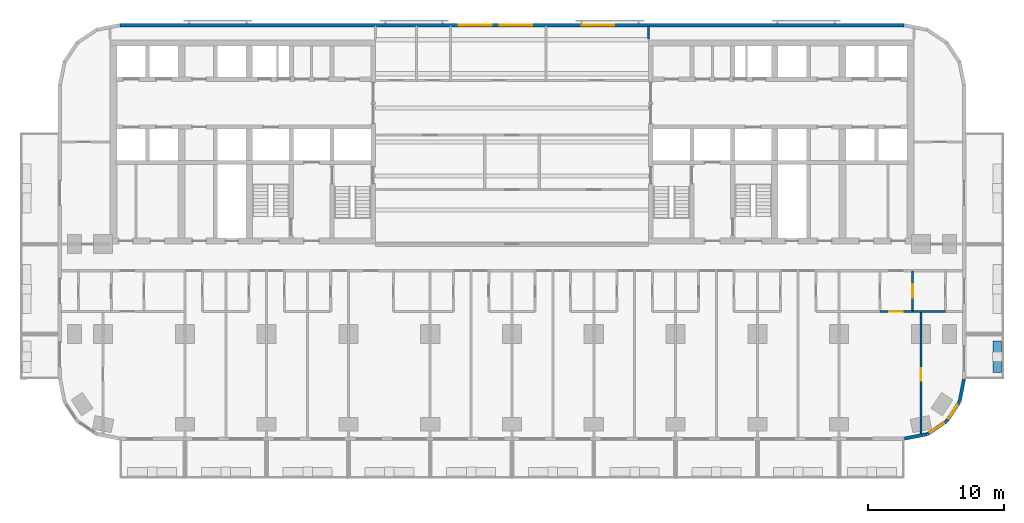
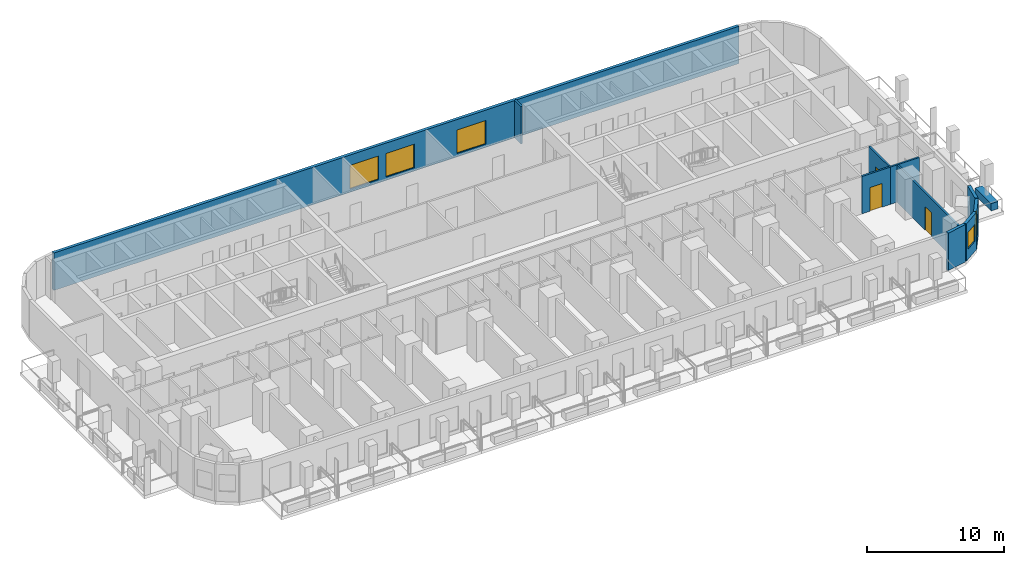
# One storey, part 9 of 15: 11 walls, 5 windows, 3 doors, 8 openings.
"""IFC4 building model written with IfcOpenShell, lengths in metres."""

from ifc_helpers import new_model, si_unit, direction, frame, frame_2d, origin, place, context, subcontext, project, spatial, rectangle, extrude, material, layer, layer_set, type_object, element, fill, save


model = new_model("IFC4")

# Units and contexts
model_context = context("Model", 3, precision=1e-05, world=origin(), true_north=direction((0.0, 1.0)))
body_context = subcontext(model_context, "Body", "Model", "MODEL_VIEW")
ifc_project = project(units=[si_unit("LENGTHUNIT", "METRE"), si_unit("AREAUNIT", "SQUARE_METRE"), si_unit("VOLUMEUNIT", "CUBIC_METRE"), si_unit("PLANEANGLEUNIT", "RADIAN"), si_unit("MASSUNIT", "GRAM", prefix="KILO")], contexts=[model_context])

# Site, building, storey
site_placement = place(None, origin())
site = spatial("IfcSite", under=ifc_project, at=site_placement, CompositionType="ELEMENT")
building_placement = place(site_placement, origin())
building = spatial("IfcBuilding", under=site, at=building_placement, Name="Torana Hotel and Residences", CompositionType="ELEMENT")
storey_placement = place(building_placement, frame((0.0, 0.0, 31.199951171875)))
storey = spatial("IfcBuildingStorey", under=building, at=storey_placement, Name="L06", CompositionType="ELEMENT", Elevation=31.199951171875)

# Wall
ifc_material_1 = material(Name="Black aluminium composite panel", Category="aluminium")
ifc_layer_1 = layer(ifc_material_1, 0.00390625, Name="Cladding", Category="cladding")
ifc_material_2 = material(Name="Ventilated air cavity")
ifc_layer_2 = layer(ifc_material_2, 0.0400390625, Name="Ventilated cavity", Category="cavity")
ifc_material_3 = material(Name="Mineral wool insulation")
ifc_layer_3 = layer(ifc_material_3, 0.090087890625, Name="Insulation", Category="insulation")
ifc_material_4 = material(Name="Steel S280GD", Category="steel")
ifc_layer_4 = layer(ifc_material_4, 0.092041015625, Name="Steel stud frame", Category="structure")
ifc_material_5 = material(Name="Fire rated plasterboard")
ifc_layer_5 = layer(ifc_material_5, 0.011962890625, Name="Inner board", Category="finish")
ifc_layer_6 = layer(ifc_material_5, 0.011962890625, Name="Second board", Category="finish")
ifc_layer_set_1 = layer_set([ifc_layer_1, ifc_layer_2, ifc_layer_3, ifc_layer_4, ifc_layer_5, ifc_layer_6], Name="EW1 EXTERNAL WALL BLACK METAL CLAD 250")
wall_type_1 = type_object("IfcWallType", Name="EW1 EXTERNAL WALL BLACK METAL CLAD 250", PredefinedType="SOLIDWALL", material=ifc_layer_set_1)
wall_1_placement = place(storey_placement, frame((28.7998046875, -29.272705078125, 0.0), z_axis=(0.0, 0.0, 1.0), x_axis=(0.980775640221, 0.19513878023, 0.0)))
element("IfcWall", 1, at=wall_1_placement, inside=storey, type_object=wall_type_1, Name="External wall L06 e0.15", PredefinedType="SOLIDWALL", context=body_context, shape_type="SweptSolid", body=[
    extrude(rectangle(XDim=1.681396484375, YDim=0.25, at=frame_2d((0.8408203125, 0.0))), origin(), (0.0, 0.0, 1.0), 3.320068359375),
])

# Wall, opening, window
wall_2_placement = place(storey_placement, frame((30.493896484375, -28.92578125, 0.0), z_axis=(0.0, 0.0, 1.0), x_axis=(0.831482937015, 0.55555029066, 0.0)))
wall_2 = element("IfcWall", 2, at=wall_2_placement, inside=storey, type_object=wall_type_1, Name="External wall L06 e0.16", PredefinedType="SOLIDWALL", context=body_context, shape_type="SweptSolid", body=[
    extrude(rectangle(XDim=1.65625, YDim=0.25, at=frame_2d((0.828125, 0.0))), origin(), (0.0, 0.0, 1.0), 3.320068359375),
])
opening_1_placement = place(wall_2_placement, frame((0.228271484375, 0.0, 0.89990234375)))
opening_1 = element("IfcOpeningElement", 3, at=opening_1_placement, cuts=wall_2, Name="Opening W5", PredefinedType="OPENING", context=body_context, shape_type="SweptSolid", body=[
    extrude(rectangle(XDim=1.199951171875, YDim=1.5, at=frame_2d((0.60009765625, 0.75))), frame((0.0, 0.135009765625, 0.0), z_axis=(0.0, -1.0, 0.0), x_axis=(1.0, 0.0, 0.0)), (0.0, 0.0, 1.0), 0.27001953125),
])
ifc_material_6 = material(Name="Dark glass in black aluminium frame", Category="aluminium")
window_type_1 = type_object("IfcWindowType", Name="W5 CORNER FACET WINDOW 1200x1500", PartitioningType="SINGLE_PANEL", PredefinedType="WINDOW", material=ifc_material_6)
window_1_placement = place(opening_1_placement, origin())
window_1 = element("IfcWindow", 4, at=window_1_placement, inside=storey, type_object=window_type_1, Name="Window L06 e0.16", OverallHeight=1.5, OverallWidth=1.199951171875, PartitioningType="SINGLE_PANEL", PredefinedType="WINDOW", context=body_context, shape_type="SweptSolid", body=[
    extrude(rectangle(XDim=1.199951171875, YDim=1.5, at=frame_2d((0.60009765625, 0.75))), frame((0.0, 0.030029296875, 0.0), z_axis=(0.0, -1.0, 0.0), x_axis=(1.0, 0.0, 0.0)), (0.0, 0.0, 1.0), 0.06005859375),
])
fill(opening_1, window_1)

wall_3_placement = place(storey_placement, frame((31.90576171875, -27.97119140625, 0.0), z_axis=(0.0, 0.0, 1.0), x_axis=(0.55555029066, 0.831482937015, 0.0)))
wall_3 = element("IfcWall", 5, at=wall_3_placement, inside=storey, type_object=wall_type_1, Name="External wall L06 e0.17", PredefinedType="SOLIDWALL", context=body_context, shape_type="SweptSolid", body=[
    extrude(rectangle(XDim=1.65625, YDim=0.25, at=frame_2d((0.828125, 0.0))), origin(), (0.0, 0.0, 1.0), 3.320068359375),
])
opening_2_placement = place(wall_3_placement, frame((0.228271484375, 0.0, 0.89990234375)))
opening_2 = element("IfcOpeningElement", 6, at=opening_2_placement, cuts=wall_3, Name="Opening W5", PredefinedType="OPENING", context=body_context, shape_type="SweptSolid", body=[
    extrude(rectangle(XDim=1.199951171875, YDim=1.5, at=frame_2d((0.60009765625, 0.75))), frame((0.0, 0.135009765625, 0.0), z_axis=(0.0, -1.0, 0.0), x_axis=(1.0, 0.0, 0.0)), (0.0, 0.0, 1.0), 0.27001953125),
])
window_2_placement = place(opening_2_placement, origin())
window_2 = element("IfcWindow", 7, at=window_2_placement, inside=storey, type_object=window_type_1, Name="Window L06 e0.17", OverallHeight=1.5, OverallWidth=1.199951171875, PartitioningType="SINGLE_PANEL", PredefinedType="WINDOW", context=body_context, shape_type="SweptSolid", body=[
    extrude(rectangle(XDim=1.199951171875, YDim=1.5, at=frame_2d((0.60009765625, 0.75))), frame((0.0, 0.030029296875, 0.0), z_axis=(0.0, -1.0, 0.0), x_axis=(1.0, 0.0, 0.0)), (0.0, 0.0, 1.0), 0.06005859375),
])
fill(opening_2, window_2)

# Wall
wall_4_placement = place(storey_placement, frame((32.844482421875, -26.548828125, 0.0), z_axis=(0.0, 0.0, 1.0), x_axis=(0.195166572128, 0.980770110232, 0.0)))
element("IfcWall", 8, at=wall_4_placement, inside=storey, type_object=wall_type_1, Name="External wall L06 e0.18", PredefinedType="SOLIDWALL", context=body_context, shape_type="SweptSolid", body=[
    extrude(rectangle(XDim=1.68115234375, YDim=0.25, at=frame_2d((0.840576171875, 0.0))), origin(), (0.0, 0.0, 1.0), 3.320068359375),
])

# Wall, openings, windows
ifc_material_7 = material(Name="Concrete C40/50 precast", Category="concrete")
ifc_layer_7 = layer(ifc_material_7, 0.10009765625, Name="Perforated block", Category="cladding")
ifc_material_8 = material(Name="Air cavity")
ifc_layer_8 = layer(ifc_material_8, 0.030029296875, Name="Cavity", Category="cavity")
ifc_material_9 = material(Name="Concrete C40/50", Category="concrete")
ifc_layer_9 = layer(ifc_material_9, 0.10009765625, Name="Wall", Category="structure")
ifc_material_10 = material(Name="Plaster and paint")
ifc_layer_10 = layer(ifc_material_10, 0.02001953125, Name="Inner finish", Category="finish")
ifc_layer_set_2 = layer_set([ifc_layer_7, ifc_layer_8, ifc_layer_9, ifc_layer_10], Name="EW2 PERFORATED BLOCK SCREEN WALL 250")
wall_type_2 = type_object("IfcWallType", Name="EW2 PERFORATED BLOCK SCREEN WALL 250", PredefinedType="SOLIDWALL", material=ifc_layer_set_2)
wall_5_placement = place(storey_placement, frame((28.775390625, 1.074951171875, 0.0), z_axis=(0.0, 0.0, 1.0), x_axis=(-1.0, 0.0, 0.0)))
wall_5 = element("IfcWall", 9, at=wall_5_placement, inside=storey, type_object=wall_type_2, Name="External wall L06 e0.4", PredefinedType="SOLIDWALL", context=body_context, shape_type="SweptSolid", body=[
    extrude(rectangle(XDim=57.55078125, YDim=0.25, at=frame_2d((28.775390625, 0.0))), origin(), (0.0, 0.0, 1.0), 3.320068359375),
])
opening_3_placement = place(wall_5_placement, frame((21.275390625, 0.0, 0.300048828125)))
opening_3 = element("IfcOpeningElement", 10, at=opening_3_placement, cuts=wall_5, Name="Opening W1", PredefinedType="OPENING", context=body_context, shape_type="SweptSolid", body=[
    extrude(rectangle(XDim=2.39990234375, YDim=2.10009765625, at=frame_2d((1.199951171875, 1.050048828125))), frame((0.0, 0.135009765625, 0.0), z_axis=(0.0, -1.0, 0.0), x_axis=(1.0, 0.0, 0.0)), (0.0, 0.0, 1.0), 0.27001953125),
])
opening_4_placement = place(wall_5_placement, frame((27.275390625, 0.0, 0.300048828125)))
opening_4 = element("IfcOpeningElement", 11, at=opening_4_placement, cuts=wall_5, Name="Opening W1", PredefinedType="OPENING", context=body_context, shape_type="SweptSolid", body=[
    extrude(rectangle(XDim=2.39990234375, YDim=2.10009765625, at=frame_2d((1.199951171875, 1.050048828125))), frame((0.0, 0.135009765625, 0.0), z_axis=(0.0, -1.0, 0.0), x_axis=(1.0, 0.0, 0.0)), (0.0, 0.0, 1.0), 0.27001953125),
])
opening_5_placement = place(wall_5_placement, frame((30.275390625, 0.0, 0.300048828125)))
opening_5 = element("IfcOpeningElement", 12, at=opening_5_placement, cuts=wall_5, Name="Opening W1", PredefinedType="OPENING", context=body_context, shape_type="SweptSolid", body=[
    extrude(rectangle(XDim=2.39990234375, YDim=2.10009765625, at=frame_2d((1.199951171875, 1.050048828125))), frame((0.0, 0.135009765625, 0.0), z_axis=(0.0, -1.0, 0.0), x_axis=(1.0, 0.0, 0.0)), (0.0, 0.0, 1.0), 0.27001953125),
])
ifc_material_11 = material(Name="Dark glass in black aluminium frame", Category="aluminium")
window_type_2 = type_object("IfcWindowType", Name="W1 HOTEL ROOM WINDOW 2400x2100", PartitioningType="SINGLE_PANEL", PredefinedType="WINDOW", material=ifc_material_11)
window_3_placement = place(opening_3_placement, origin())
window_3 = element("IfcWindow", 13, at=window_3_placement, inside=storey, type_object=window_type_2, Name="Window L06", OverallHeight=2.10009765625, OverallWidth=2.39990234375, PartitioningType="SINGLE_PANEL", PredefinedType="WINDOW", context=body_context, shape_type="SweptSolid", body=[
    extrude(rectangle(XDim=2.39990234375, YDim=2.10009765625, at=frame_2d((1.199951171875, 1.050048828125))), frame((0.0, 0.030029296875, 0.0), z_axis=(0.0, -1.0, 0.0), x_axis=(1.0, 0.0, 0.0)), (0.0, 0.0, 1.0), 0.06005859375),
])
fill(opening_3, window_3)
window_4_placement = place(opening_4_placement, origin())
window_4 = element("IfcWindow", 14, at=window_4_placement, inside=storey, type_object=window_type_2, Name="Window L06", OverallHeight=2.10009765625, OverallWidth=2.39990234375, PartitioningType="SINGLE_PANEL", PredefinedType="WINDOW", context=body_context, shape_type="SweptSolid", body=[
    extrude(rectangle(XDim=2.39990234375, YDim=2.10009765625, at=frame_2d((1.199951171875, 1.050048828125))), frame((0.0, 0.030029296875, 0.0), z_axis=(0.0, -1.0, 0.0), x_axis=(1.0, 0.0, 0.0)), (0.0, 0.0, 1.0), 0.06005859375),
])
fill(opening_4, window_4)
window_5_placement = place(opening_5_placement, origin())
window_5 = element("IfcWindow", 15, at=window_5_placement, inside=storey, type_object=window_type_2, Name="Window L06", OverallHeight=2.10009765625, OverallWidth=2.39990234375, PartitioningType="SINGLE_PANEL", PredefinedType="WINDOW", context=body_context, shape_type="SweptSolid", body=[
    extrude(rectangle(XDim=2.39990234375, YDim=2.10009765625, at=frame_2d((1.199951171875, 1.050048828125))), frame((0.0, 0.030029296875, 0.0), z_axis=(0.0, -1.0, 0.0), x_axis=(1.0, 0.0, 0.0)), (0.0, 0.0, 1.0), 0.06005859375),
])
fill(opening_5, window_5)

# Wall, opening, door
ifc_material_12 = material(Name="Gypsum plaster")
ifc_layer_11 = layer(ifc_material_12, 0.014892578125, Name="Plaster", Category="finish")
ifc_material_13 = material(Name="Concrete blockwork", Category="masonry")
ifc_layer_12 = layer(ifc_material_13, 0.1201171875, Name="Blockwork", Category="structure")
ifc_layer_13 = layer(ifc_material_12, 0.014892578125, Name="Plaster", Category="finish")
ifc_layer_set_3 = layer_set([ifc_layer_11, ifc_layer_12, ifc_layer_13], Name="FIRE PARTITION 150 BLOCKWORK")
wall_type_3 = type_object("IfcWallType", Name="FIRE PARTITION 150 BLOCKWORK", PredefinedType="PARTITIONING", material=ifc_layer_set_3)
wall_6_placement = place(storey_placement, frame((29.39990234375, -19.949951171875, 0.0), z_axis=(0.0, 0.0, 1.0), x_axis=(0.0, 1.0, 0.0)))
wall_6 = element("IfcWall", 16, at=wall_6_placement, inside=storey, type_object=wall_type_3, Name="Partition L06", PredefinedType="PARTITIONING", context=body_context, shape_type="SweptSolid", body=[
    extrude(rectangle(XDim=3.0, YDim=0.14990234375, at=frame_2d((1.5, 0.0))), origin(), (0.0, 0.0, 1.0), 3.320068359375),
])
opening_6_placement = place(wall_6_placement, frame((1.02001953125, 0.0, 0.0)))
opening_6 = element("IfcOpeningElement", 17, at=opening_6_placement, cuts=wall_6, Name="Opening L06-86", PredefinedType="OPENING", context=body_context, shape_type="SweptSolid", body=[
    extrude(rectangle(XDim=1.0, YDim=2.10009765625, at=frame_2d((0.5, 1.050048828125))), frame((0.0, 0.0849609375, 0.0), z_axis=(0.0, -1.0, 0.0), x_axis=(1.0, 0.0, 0.0)), (0.0, 0.0, 1.0), 0.169921875),
])
ifc_material_14 = material(Name="Steel S235", Category="steel")
door_type_1 = type_object("IfcDoorType", Name="ENTRY FIRE DOOR D6 1000x2100", OperationType="SINGLE_SWING_LEFT", PredefinedType="DOOR", material=ifc_material_14)
door_1_placement = place(opening_6_placement, frame((0.5, 0.0, 0.0), z_axis=(0.0, 0.0, 1.0), x_axis=(-1.0, 0.0, 0.0)))
door_1 = element("IfcDoor", 18, at=door_1_placement, inside=storey, type_object=door_type_1, Name="Door L06", OperationType="SINGLE_SWING_LEFT", OverallHeight=2.10009765625, OverallWidth=1.0, PredefinedType="DOOR", context=body_context, shape_type="SweptSolid", body=[
    extrude(rectangle(XDim=1.0, YDim=2.10009765625, at=frame_2d((0.0, 1.050048828125))), frame((0.0, -0.02490234375, 0.0), z_axis=(0.0, 1.0, 0.0), x_axis=(-1.0, 0.0, 0.0)), (0.0, 0.0, 1.0), 0.050048828125),
])
fill(opening_6, door_1)

wall_7_placement = place(storey_placement, frame((27.0, -19.949951171875, 0.0), z_axis=(0.0, 0.0, 1.0), x_axis=(1.0, 0.0, 0.0)))
wall_7 = element("IfcWall", 19, at=wall_7_placement, inside=storey, type_object=wall_type_3, Name="Partition L06", PredefinedType="PARTITIONING", context=body_context, shape_type="SweptSolid", body=[
    extrude(rectangle(XDim=2.39990234375, YDim=0.14990234375, at=frame_2d((1.199951171875, 0.0))), origin(), (0.0, 0.0, 1.0), 3.320068359375),
])
opening_7_placement = place(wall_7_placement, frame((0.679931640625, 0.0, 0.0)))
opening_7 = element("IfcOpeningElement", 20, at=opening_7_placement, cuts=wall_7, Name="Opening L06-87", PredefinedType="OPENING", context=body_context, shape_type="SweptSolid", body=[
    extrude(rectangle(XDim=1.0, YDim=2.10009765625, at=frame_2d((0.5, 1.050048828125))), frame((0.0, 0.0849609375, 0.0), z_axis=(0.0, -1.0, 0.0), x_axis=(1.0, 0.0, 0.0)), (0.0, 0.0, 1.0), 0.169921875),
])
door_2_placement = place(opening_7_placement, frame((0.5, 0.0, 0.0), z_axis=(0.0, 0.0, 1.0), x_axis=(-1.0, 0.0, 0.0)))
door_2 = element("IfcDoor", 21, at=door_2_placement, inside=storey, type_object=door_type_1, Name="Door L06", OperationType="SINGLE_SWING_RIGHT", OverallHeight=2.10009765625, OverallWidth=1.0, PredefinedType="DOOR", context=body_context, shape_type="SweptSolid", body=[
    extrude(rectangle(XDim=1.0, YDim=2.10009765625, at=frame_2d((0.0, 1.050048828125))), frame((0.0, -0.02490234375, 0.0), z_axis=(0.0, 1.0, 0.0), x_axis=(-1.0, 0.0, 0.0)), (0.0, 0.0, 1.0), 0.050048828125),
])
fill(opening_7, door_2)

ifc_material_15 = material(Name="Gypsum plasterboard")
ifc_layer_14 = layer(ifc_material_15, 0.012451171875, Name="Plasterboard", Category="finish")
ifc_layer_15 = layer(ifc_material_15, 0.012451171875, Name="Plasterboard", Category="finish")
ifc_layer_16 = layer(ifc_material_4, 0.10009765625, Name="Steel studs with mineral wool", Category="insulation")
ifc_layer_17 = layer(ifc_material_15, 0.012451171875, Name="Plasterboard", Category="finish")
ifc_layer_18 = layer(ifc_material_15, 0.012451171875, Name="Plasterboard", Category="finish")
ifc_layer_set_4 = layer_set([ifc_layer_14, ifc_layer_15, ifc_layer_16, ifc_layer_17, ifc_layer_18], Name="PARTITION 150 PLASTERBOARD")
wall_type_4 = type_object("IfcWallType", Name="PARTITION 150 PLASTERBOARD", PredefinedType="PARTITIONING", material=ifc_layer_set_4)
wall_8_placement = place(storey_placement, frame((30.0, -28.977783203125, 0.0), z_axis=(0.0, 0.0, 1.0), x_axis=(0.0, 1.0, 0.0)))
wall_8 = element("IfcWall", 22, at=wall_8_placement, inside=storey, type_object=wall_type_4, Name="Partition L06", PredefinedType="PARTITIONING", context=body_context, shape_type="SweptSolid", body=[
    extrude(rectangle(XDim=9.02783203125, YDim=0.14990234375, at=frame_2d((4.513916015625, 0.0))), origin(), (0.0, 0.0, 1.0), 3.320068359375),
])
opening_8_placement = place(wall_8_placement, frame((3.957763671875, 0.0, 0.0)))
opening_8 = element("IfcOpeningElement", 23, at=opening_8_placement, cuts=wall_8, Name="Opening L06-89", PredefinedType="OPENING", context=body_context, shape_type="SweptSolid", body=[
    extrude(rectangle(XDim=0.89990234375, YDim=2.10009765625, at=frame_2d((0.449951171875, 1.050048828125))), frame((0.0, 0.0849609375, 0.0), z_axis=(0.0, -1.0, 0.0), x_axis=(1.0, 0.0, 0.0)), (0.0, 0.0, 1.0), 0.169921875),
])
ifc_material_16 = material(Name="Timber door, oiled ash", Category="wood")
door_type_2 = type_object("IfcDoorType", Name="ROOM DOOR D7 900x2100", OperationType="SINGLE_SWING_LEFT", PredefinedType="DOOR", material=ifc_material_16)
door_3_placement = place(opening_8_placement, origin())
door_3 = element("IfcDoor", 24, at=door_3_placement, inside=storey, type_object=door_type_2, Name="Door L06", OperationType="SINGLE_SWING_RIGHT", OverallHeight=2.10009765625, OverallWidth=0.89990234375, PredefinedType="DOOR", context=body_context, shape_type="SweptSolid", body=[
    extrude(rectangle(XDim=0.89990234375, YDim=2.10009765625, at=frame_2d((0.449951171875, 1.050048828125))), frame((0.0, 0.02490234375, 0.0), z_axis=(0.0, -1.0, 0.0), x_axis=(1.0, 0.0, 0.0)), (0.0, 0.0, 1.0), 0.050048828125),
])
fill(opening_8, door_3)

# Walls
wall_9_placement = place(storey_placement, frame((10.0, 0.050048828125, 0.0), z_axis=(0.0, 0.0, 1.0), x_axis=(0.0, 1.0, 0.0)))
element("IfcWall", 25, at=wall_9_placement, inside=storey, type_object=wall_type_4, Name="Partition L06", PredefinedType="PARTITIONING", context=body_context, shape_type="SweptSolid", body=[
    extrude(rectangle(XDim=0.969970703125, YDim=0.14990234375, at=frame_2d((0.48486328125, 0.0))), origin(), (0.0, 0.0, 1.0), 3.320068359375),
])
wall_10_placement = place(storey_placement, frame((29.39990234375, -19.949951171875, 0.0), z_axis=(0.0, 0.0, 1.0), x_axis=(1.0, 0.0, 0.0)))
element("IfcWall", 26, at=wall_10_placement, inside=storey, type_object=wall_type_4, Name="Partition L06", PredefinedType="PARTITIONING", context=body_context, shape_type="SweptSolid", body=[
    extrude(rectangle(XDim=2.400146484375, YDim=0.14990234375, at=frame_2d((1.2001953125, 0.0))), origin(), (0.0, 0.0, 1.0), 3.320068359375),
])
ifc_layer_19 = layer(ifc_material_7, 0.10009765625, Name="Planter shell", Category="structure")
ifc_material_17 = material(Name="Root resistant membrane")
ifc_layer_20 = layer(ifc_material_17, 0.00390625, Name="Waterproofing membrane", Category="membrane")
ifc_material_18 = material(Name="Drainage board with filter fleece")
ifc_layer_21 = layer(ifc_material_18, 0.02001953125, Name="Drainage board", Category="drainage")
ifc_material_19 = material(Name="Growing medium")
ifc_layer_22 = layer(ifc_material_19, 0.47607421875, Name="Planting substrate", Category="soil")
ifc_layer_set_5 = layer_set([ifc_layer_19, ifc_layer_20, ifc_layer_21, ifc_layer_22], Name="PL1 BALCONY PLANTER 600")
wall_type_5 = type_object("IfcWallType", Name="PL1 BALCONY PLANTER 600", PredefinedType="USERDEFINED", material=ifc_layer_set_5)
wall_11_placement = place(storey_placement, frame((35.60009765625, -22.10009765625, 0.0), z_axis=(0.0, 0.0, 1.0), x_axis=(0.0, -1.0, 0.0)))
element("IfcWall", 27, at=wall_11_placement, inside=storey, type_object=wall_type_5, Name="Planter 14", ObjectType="PLANTER", PredefinedType="USERDEFINED", context=body_context, shape_type="SweptSolid", body=[
    extrude(rectangle(XDim=2.2998046875, YDim=0.60009765625, at=frame_2d((1.14990234375, 0.0))), origin(), (0.0, 0.0, 1.0), 0.650146484375),
])

save(model, "model.ifc")
